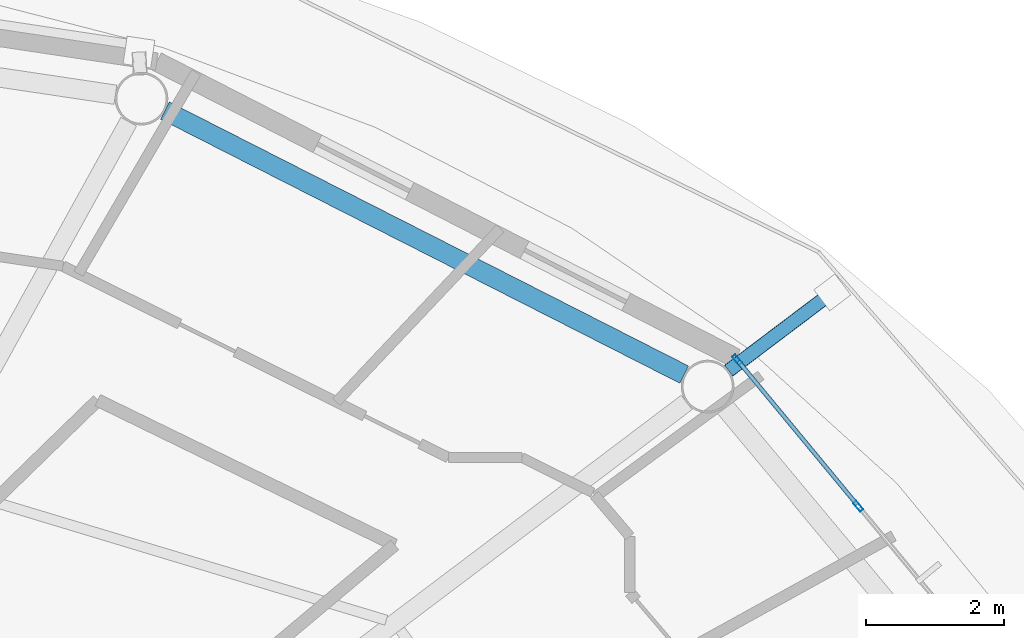
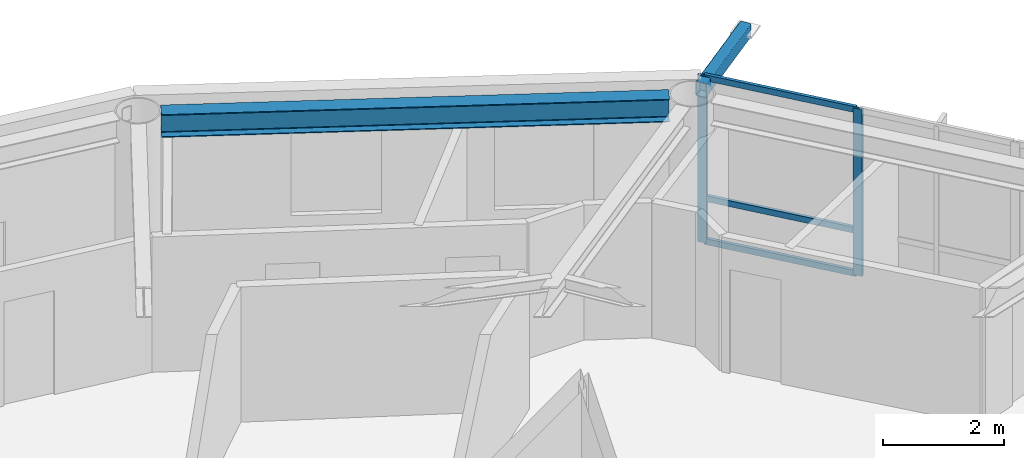
# One storey, part 11 of 23: 6 members, 1 beam, 1 element without a shape of its own.
"""IFC4 building model written with IfcOpenShell, lengths in metres."""

import ifcopenshell
import ifcopenshell.guid

model = None  # the IFC model being written
_history = None  # IfcOwnerHistory: only IFC2X3 demands one
_inside = {}  # id of a spatial element -> (the spatial element, [elements in it])
_under = {}  # id of a project, library or spatial element -> (it, [spatial elements below it])
_declared = {}  # id of a project -> (the project, [libraries it declares])
_typed = {}  # id of a type object -> (the type object, [elements of that type])
_made_of = {}  # id of a material, layer set ... -> (it, [elements and type objects made of it])


def new_model(schema):
    """Start an empty IFC model of exactly this schema.

    Asked for "IFC4X3", IfcOpenShell would pick the latest addendum, in which some entities
    have other attributes; the version numbers below select the first issue.
    IFC2X3 requires an IfcOwnerHistory on every rooted entity: one is made here for all.
    """
    global model, _history
    if schema == "IFC4X3":
        model = ifcopenshell.file(schema_version=(4, 3, 0, 0))
    else:
        model = ifcopenshell.file(schema=schema)
    _inside.clear()
    _under.clear()
    _declared.clear()
    _typed.clear()
    _made_of.clear()
    _history = None
    if model.schema == "IFC2X3":
        org = make("IfcOrganization", Name="unknown")
        user = make(
            "IfcPersonAndOrganization",
            ThePerson=make("IfcPerson", FamilyName="unknown"),
            TheOrganization=org,
        )
        app = make(
            "IfcApplication",
            ApplicationDeveloper=org,
            Version="unknown",
            ApplicationFullName="unknown",
            ApplicationIdentifier="unknown",
        )
        _history = make(
            "IfcOwnerHistory",
            OwningUser=user,
            OwningApplication=app,
            ChangeAction="ADDED",
            CreationDate=0,
        )
    return model


def make(cls, **values):
    """One entity of the class cls with the attributes given. An attribute that is None is left unset."""
    return model.create_entity(
        cls, **{name: value for name, value in values.items() if value is not None}
    )


def rooted(cls, **values):
    """An entity with a GlobalId (a new one), such as an element, a storey or a relation."""
    return make(cls, GlobalId=ifcopenshell.guid.new(), OwnerHistory=_history, **values)


def si_unit(unit_type, name, prefix=None):
    """IfcSIUnit, for example si_unit("LENGTHUNIT", "METRE", prefix="MILLI")."""
    return make("IfcSIUnit", UnitType=unit_type, Prefix=prefix, Name=name)


def assignment(units):
    """IfcUnitAssignment: the units of a project."""
    return None if units is None else make("IfcUnitAssignment", Units=units)


def point(xyz):
    """IfcCartesianPoint."""
    return None if xyz is None else make("IfcCartesianPoint", Coordinates=xyz)


def direction(xyz):
    """IfcDirection."""
    return None if xyz is None else make("IfcDirection", DirectionRatios=xyz)


def frame(location, z_axis=None, x_axis=None):
    """IfcAxis2Placement3D, a coordinate frame: its origin and axes. An axis left out is left unset."""
    return make(
        "IfcAxis2Placement3D",
        Location=point(location),
        Axis=direction(z_axis),
        RefDirection=direction(x_axis),
    )


def frame_2d(location, x_axis=None):
    """IfcAxis2Placement2D, a coordinate frame in the plane: its origin and x axis."""
    return make(
        "IfcAxis2Placement2D", Location=point(location), RefDirection=direction(x_axis)
    )


def origin():
    """The frame at (0, 0, 0) with its axes left unset."""
    return frame((0.0, 0.0, 0.0))


def origin_2d():
    """The frame at (0, 0) in the plane with its x axis left unset."""
    return frame_2d((0.0, 0.0))


def place(relative_to, where):
    """IfcLocalPlacement: puts the frame where relative to a parent placement (None: the world)."""
    return make(
        "IfcLocalPlacement", PlacementRelTo=relative_to, RelativePlacement=where
    )


def context(
    kind, dimensions, precision=None, world=None, true_north=None, identifier=None
):
    """IfcGeometricRepresentationContext, for example the 3D "Model" context."""
    return make(
        "IfcGeometricRepresentationContext",
        ContextIdentifier=identifier,
        ContextType=kind,
        CoordinateSpaceDimension=dimensions,
        Precision=precision,
        WorldCoordinateSystem=world,
        TrueNorth=true_north,
    )


def subcontext(parent, identifier, kind, view, scale=None):
    """IfcGeometricRepresentationSubContext, for example "Body" below "Model"."""
    return make(
        "IfcGeometricRepresentationSubContext",
        ContextIdentifier=identifier,
        ContextType=kind,
        ParentContext=parent,
        TargetScale=scale,
        TargetView=view,
    )


def project(units=None, contexts=None):
    """IfcProject with its units and contexts."""
    return rooted(
        "IfcProject",
        Name="project",
        RepresentationContexts=contexts,
        UnitsInContext=assignment(units),
    )


def spatial(cls, under=None, at=None, **own):
    """A site, building, storey or space (cls), placed at a placement, below another one or the project."""
    s = rooted(cls, ObjectPlacement=at, **own)
    if under is not None:
        _under.setdefault(under.id(), (under, []))[1].append(s)
    return s


def profile(cls, at=None, kind="AREA", **sizes):
    """A parametric profile (cls). Its sizes go by their IFC names, for example OverallWidth=200.0."""
    return make(cls, ProfileType=kind, Position=at, **sizes)


def hollow_rectangle(**sizes):
    """IfcRectangleHollowProfileDef."""
    return profile("IfcRectangleHollowProfileDef", **sizes)


def i_section(**sizes):
    """IfcIShapeProfileDef."""
    return profile("IfcIShapeProfileDef", **sizes)


def extrude(swept, where, along, depth):
    """IfcExtrudedAreaSolid: the profile swept, set in the frame where, extruded along a direction by depth."""
    return make(
        "IfcExtrudedAreaSolid",
        SweptArea=swept,
        Position=where,
        ExtrudedDirection=direction(along),
        Depth=depth,
    )


def shape(context_of_items, identifier, shape_type, items):
    """IfcShapeRepresentation: the items that make up one representation, for example the "Body"."""
    return make(
        "IfcShapeRepresentation",
        ContextOfItems=context_of_items,
        RepresentationIdentifier=identifier,
        RepresentationType=shape_type,
        Items=items,
    )


def material(Name=None, Category=None):
    """IfcMaterial."""
    return make("IfcMaterial", Name=Name, Category=Category)


def layer(
    of_material, thickness, ventilated=None, Name=None, Category=None, Priority=None
):
    """IfcMaterialLayer: one layer of a wall or slab, of a material (None: an air gap)."""
    return make(
        "IfcMaterialLayer",
        Material=of_material,
        LayerThickness=thickness,
        IsVentilated=ventilated,
        Name=Name,
        Category=Category,
        Priority=Priority,
    )


def layer_set(layers, Name=None):
    """IfcMaterialLayerSet."""
    return make("IfcMaterialLayerSet", MaterialLayers=layers, LayerSetName=Name)


def material_profile(
    of_material, cross_section, Name=None, Category=None, Priority=None
):
    """IfcMaterialProfile: a cross section and its material."""
    return make(
        "IfcMaterialProfile",
        Name=Name,
        Material=of_material,
        Profile=cross_section,
        Priority=Priority,
        Category=Category,
    )


def profile_set(profiles, Name=None, composite=None):
    """IfcMaterialProfileSet."""
    return make(
        "IfcMaterialProfileSet",
        Name=Name,
        MaterialProfiles=profiles,
        CompositeProfile=composite,
    )


def made_of(thing, what):
    """Note that an element or type object is made of a material, layer set ...; save() writes the relation."""
    if what is not None:
        _made_of.setdefault(what.id(), (what, []))[1].append(thing)
    return thing


def type_object(cls, material=None, **own):
    """A type object (cls), such as IfcWallType, which elements share."""
    return made_of(rooted(cls, **own), material)


def element(
    cls,
    number,
    at=None,
    inside=None,
    cuts=None,
    type_object=None,
    material=None,
    context=None,
    identifier="Body",
    shape_type=None,
    held_by="IfcProductDefinitionShape",
    body=None,
    shapes=None,
    **own,
):
    """One element of the class cls, such as IfcWall. Its Tag is "e" and its number.

    at: its placement. inside: the storey or other place that contains it. cuts: it is an
    opening in that element (IfcRelVoidsElement). A single representation is given by context,
    identifier, shape_type and body (its items); several are given by shapes. held_by: the class
    of the entity that holds the representations. save() writes the other relations.
    """
    e = rooted(cls, Tag="e%d" % number, ObjectPlacement=at, **own)
    if body is not None:
        shapes = [shape(context, identifier, shape_type, body)]
    if shapes is not None:
        e.Representation = make(held_by, Representations=shapes)
    if inside is not None:
        _inside.setdefault(inside.id(), (inside, []))[1].append(e)
    if cuts is not None:
        rooted(
            "IfcRelVoidsElement", RelatingBuildingElement=cuts, RelatedOpeningElement=e
        )
    if type_object is not None:
        _typed.setdefault(type_object.id(), (type_object, []))[1].append(e)
    return made_of(e, material)


def aggregate(whole, parts):
    """IfcRelAggregates: a whole, such as a stair, and the parts it consists of."""
    return rooted("IfcRelAggregates", RelatingObject=whole, RelatedObjects=parts)


def save(model, path):
    """Write the relations noted so far, then the file.

    IfcRelAggregates (storeys below a building ...), IfcRelContainedInSpatialStructure (elements
    in a storey), IfcRelDefinesByType, IfcRelAssociatesMaterial and IfcRelDeclares: one each for
    every whole, place, type object, material and project.
    """
    for whole, parts in _under.values():
        aggregate(whole, parts)
    for where, things in _inside.values():
        rooted(
            "IfcRelContainedInSpatialStructure",
            RelatedElements=things,
            RelatingStructure=where,
        )
    for kind, things in _typed.values():
        rooted("IfcRelDefinesByType", RelatedObjects=things, RelatingType=kind)
    for what, things in _made_of.values():
        rooted("IfcRelAssociatesMaterial", RelatedObjects=things, RelatingMaterial=what)
    for by, libraries in _declared.values():
        rooted("IfcRelDeclares", RelatingContext=by, RelatedDefinitions=libraries)
    model.write(path)


model = new_model("IFC4")

# Units and contexts
model_context = context("Model", 3, precision=1e-05, world=origin(), true_north=direction((0.0, 1.0)))
body_context = subcontext(model_context, "Body", "Model", "MODEL_VIEW")
ifc_project = project(units=[si_unit("LENGTHUNIT", "METRE"), si_unit("AREAUNIT", "SQUARE_METRE"), si_unit("VOLUMEUNIT", "CUBIC_METRE"), si_unit("PLANEANGLEUNIT", "RADIAN"), si_unit("MASSUNIT", "GRAM", prefix="KILO")], contexts=[model_context])

# Site, building, storey
site_placement = place(None, origin())
site = spatial("IfcSite", under=ifc_project, at=site_placement, CompositionType="ELEMENT")
building_placement = place(site_placement, origin())
building = spatial("IfcBuilding", under=site, at=building_placement, Name="Sarneth Arch Tower", CompositionType="ELEMENT")
storey_placement = place(building_placement, frame((0.0, 0.0, 276.60009765625)))
storey = spatial("IfcBuildingStorey", under=building, at=storey_placement, Name="L71", CompositionType="ELEMENT", Elevation=276.60009765625)

# Beam
ifc_material_1 = material(Name="Steel S355", Category="steel")
ifc_material_profile_1 = material_profile(ifc_material_1, i_section(OverallWidth=0.280029296875, OverallDepth=0.462890625, WebThickness=0.0107421875, FlangeThickness=0.017333984375, FilletRadius=0.01806640625, at=origin_2d()), Name="W460x113")
ifc_profile_set_1 = profile_set([ifc_material_profile_1], Name="Steel S355")
beam_type = type_object("IfcBeamType", Name="BM-RAD-460A", PredefinedType="BEAM", material=ifc_profile_set_1)
beam_placement = place(storey_placement, frame((65.635498046875, 55.749267578125, 3.138427734375), z_axis=(-0.891373613492, 0.453269325204, 0.0), x_axis=(-0.453269325204, -0.891373613492, 0.0)))
element("IfcBeam", 1, at=beam_placement, inside=storey, type_object=beam_type, Name="L71 Perimeter spandrel beam 03", PredefinedType="BEAM", context=body_context, shape_type="SweptSolid", body=[
    extrude(i_section(OverallWidth=0.280029296875, OverallDepth=0.462890625, WebThickness=0.0107421875, FlangeThickness=0.017333984375, FilletRadius=0.01806640625, at=origin_2d()), origin(), (0.0, 0.0, 1.0), 8.419677734375),
])

# Curtain wall, members
ifc_material_2 = material(Name="Anodised aluminium Type AA25 and solar-control low-e laminated IGU", Category="aluminium")
ifc_layer = layer(ifc_material_2, 0.179931640625)
ifc_layer_set = layer_set([ifc_layer], Name="Anodised aluminium Type AA25 and solar-control low-e laminated IGU")
curtain_wall_type = type_object("IfcCurtainWallType", Name="CW-RES-HIGH", PredefinedType="NOTDEFINED", material=ifc_layer_set)
curtain_wall_placement = place(storey_placement, origin())
curtain_wall = element("IfcCurtainWall", 2, at=curtain_wall_placement, inside=storey, type_object=curtain_wall_type, Name="L71 Unitised curtain wall facet 02", PredefinedType="NOTDEFINED")
ifc_material_3 = material(Name="Anodised Aluminium 6063-T6", Category="aluminium")
ifc_material_profile_2 = material_profile(ifc_material_3, hollow_rectangle(XDim=0.06005859375, YDim=0.159912109375, WallThickness=0.00390625, at=origin_2d()), Name="AL-MULL-160x60x4")
ifc_profile_set_2 = profile_set([ifc_material_profile_2], Name="Anodised Aluminium 6063-T6")
member_type_1 = type_object("IfcMemberType", Name="CW-MULLION", PredefinedType="MULLION", material=ifc_profile_set_2)
member_1_placement = place(storey_placement, frame((68.15283203125, 53.84765625, 0.0), z_axis=(0.0, 0.0, 1.0), x_axis=(-0.770359245933, -0.637610094184, 0.0)))
member_1 = element("IfcMember", 3, at=member_1_placement, type_object=member_type_1, Name="CW-SYS-6 mullion 3", PredefinedType="MULLION", context=body_context, shape_type="SweptSolid", body=[
    extrude(hollow_rectangle(XDim=0.06005859375, YDim=0.159912109375, WallThickness=0.00390625, at=origin_2d()), origin(), (0.0, 0.0, 1.0), 3.369873046875),
])
member_2_placement = place(storey_placement, frame((66.401611328125, 55.96337890625, 0.0), z_axis=(0.0, 0.0, 1.0), x_axis=(-0.770359245933, -0.637610094184, 0.0)))
member_2 = element("IfcMember", 4, at=member_2_placement, type_object=member_type_1, Name="CW-SYS-6 mullion 4", PredefinedType="MULLION", context=body_context, shape_type="SweptSolid", body=[
    extrude(hollow_rectangle(XDim=0.06005859375, YDim=0.159912109375, WallThickness=0.00390625, at=origin_2d()), origin(), (0.0, 0.0, 1.0), 3.369873046875),
])
ifc_material_4 = material(Name="Anodised Aluminium 6063-T6", Category="aluminium")
ifc_material_profile_3 = material_profile(ifc_material_4, hollow_rectangle(XDim=0.06005859375, YDim=0.1201171875, WallThickness=0.00390625, at=origin_2d()), Name="AL-TRAN-120x60x4")
ifc_profile_set_3 = profile_set([ifc_material_profile_3], Name="Anodised Aluminium 6063-T6")
member_type_2 = type_object("IfcMemberType", Name="CW-TRANSOM", PredefinedType="USERDEFINED", material=ifc_profile_set_3)
member_3_placement = place(storey_placement, frame((68.1337890625, 53.87060546875, 0.02978515625), z_axis=(-0.637606765719, 0.770362000821, 0.0), x_axis=(-0.770362000821, -0.637606765719, 0.0)))
member_3 = element("IfcMember", 5, at=member_3_placement, type_object=member_type_2, Name="CW-SYS-6 transom 3.1", ObjectType="TRANSOM", PredefinedType="USERDEFINED", context=body_context, shape_type="SweptSolid", body=[
    extrude(hollow_rectangle(XDim=0.06005859375, YDim=0.1201171875, WallThickness=0.00390625, at=origin_2d()), origin(), (0.0, 0.0, 1.0), 2.686767578125),
])
member_4_placement = place(storey_placement, frame((68.1337890625, 53.87060546875, 0.89990234375), z_axis=(-0.637606765719, 0.770362000821, 0.0), x_axis=(-0.770362000821, -0.637606765719, 0.0)))
member_4 = element("IfcMember", 6, at=member_4_placement, type_object=member_type_2, Name="CW-SYS-6 transom 3.2", ObjectType="TRANSOM", PredefinedType="USERDEFINED", context=body_context, shape_type="SweptSolid", body=[
    extrude(hollow_rectangle(XDim=0.06005859375, YDim=0.1201171875, WallThickness=0.00390625, at=origin_2d()), origin(), (0.0, 0.0, 1.0), 2.686767578125),
])
member_5_placement = place(storey_placement, frame((68.1337890625, 53.87060546875, 3.33984375), z_axis=(-0.637606765719, 0.770362000821, 0.0), x_axis=(-0.770362000821, -0.637606765719, 0.0)))
member_5 = element("IfcMember", 7, at=member_5_placement, type_object=member_type_2, Name="CW-SYS-6 transom 3.3", ObjectType="TRANSOM", PredefinedType="USERDEFINED", context=body_context, shape_type="SweptSolid", body=[
    extrude(hollow_rectangle(XDim=0.06005859375, YDim=0.1201171875, WallThickness=0.00390625, at=origin_2d()), origin(), (0.0, 0.0, 1.0), 2.686767578125),
])
aggregate(curtain_wall, [member_1, member_2, member_3, member_4, member_5])

# Member
ifc_material_5 = material(Name="Steel S355", Category="steel")
ifc_material_profile_4 = material_profile(ifc_material_5, hollow_rectangle(XDim=0.199951171875, YDim=0.300048828125, WallThickness=0.012451171875, InnerFilletRadius=0.018798828125, OuterFilletRadius=0.03125, at=origin_2d()), Name="RHS300x200x12.5")
ifc_profile_set_4 = profile_set([ifc_material_profile_4], Name="Steel S355")
member_type_3 = type_object("IfcMemberType", Name="MEM-CANT-STRUT", PredefinedType="STRUT", material=ifc_profile_set_4)
member_6_placement = place(storey_placement, frame((66.279296875, 55.80615234375, 3.2099609375), z_axis=(0.797997970259, 0.602660135949, 0.0), x_axis=(-0.602660135949, 0.797997970259, 0.0)))
element("IfcMember", 8, at=member_6_placement, inside=storey, type_object=member_type_3, Name="L71 Balcony cantilever bracket 03", PredefinedType="STRUT", context=body_context, shape_type="SweptSolid", body=[
    extrude(hollow_rectangle(XDim=0.199951171875, YDim=0.300048828125, WallThickness=0.012451171875, InnerFilletRadius=0.018798828125, OuterFilletRadius=0.03125, at=origin_2d()), origin(), (0.0, 0.0, 1.0), 1.877197265625),
])

save(model, "model.ifc")
